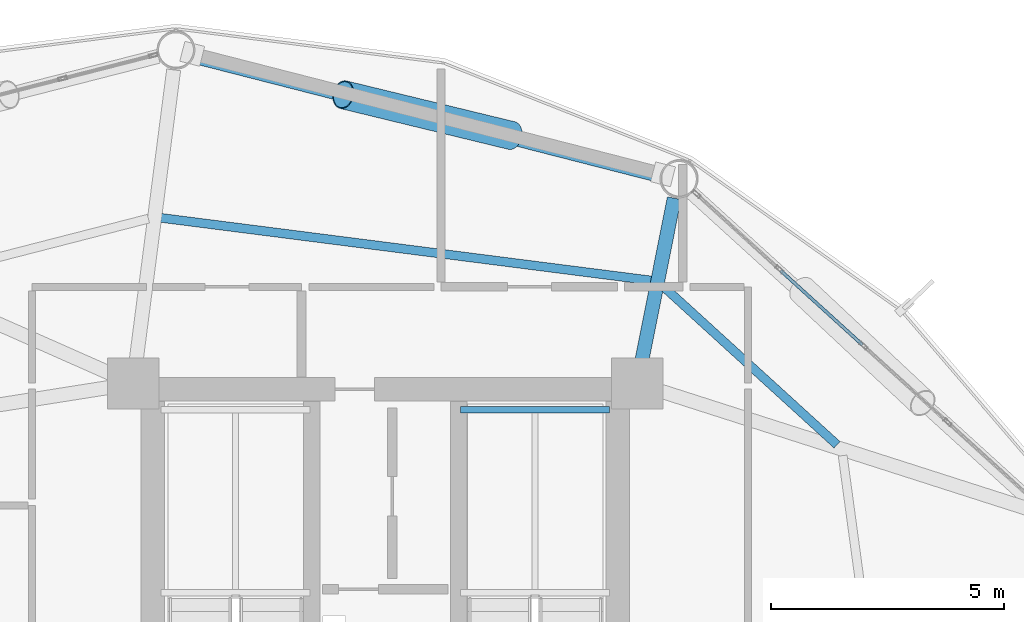
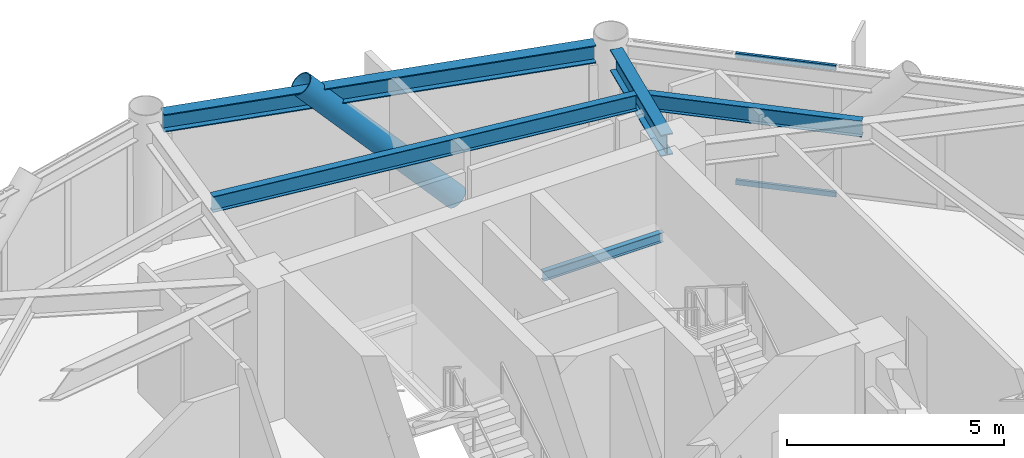
# One storey, part 17 of 25: 5 beams, 3 members, 1 element without a shape of its own.
"""IFC4 building model written with IfcOpenShell, lengths in metres."""

import ifcopenshell
import ifcopenshell.guid

model = None  # the IFC model being written
_history = None  # IfcOwnerHistory: only IFC2X3 demands one
_inside = {}  # id of a spatial element -> (the spatial element, [elements in it])
_under = {}  # id of a project, library or spatial element -> (it, [spatial elements below it])
_declared = {}  # id of a project -> (the project, [libraries it declares])
_typed = {}  # id of a type object -> (the type object, [elements of that type])
_made_of = {}  # id of a material, layer set ... -> (it, [elements and type objects made of it])


def new_model(schema):
    """Start an empty IFC model of exactly this schema.

    Asked for "IFC4X3", IfcOpenShell would pick the latest addendum, in which some entities
    have other attributes; the version numbers below select the first issue.
    IFC2X3 requires an IfcOwnerHistory on every rooted entity: one is made here for all.
    """
    global model, _history
    if schema == "IFC4X3":
        model = ifcopenshell.file(schema_version=(4, 3, 0, 0))
    else:
        model = ifcopenshell.file(schema=schema)
    _inside.clear()
    _under.clear()
    _declared.clear()
    _typed.clear()
    _made_of.clear()
    _history = None
    if model.schema == "IFC2X3":
        org = make("IfcOrganization", Name="unknown")
        user = make(
            "IfcPersonAndOrganization",
            ThePerson=make("IfcPerson", FamilyName="unknown"),
            TheOrganization=org,
        )
        app = make(
            "IfcApplication",
            ApplicationDeveloper=org,
            Version="unknown",
            ApplicationFullName="unknown",
            ApplicationIdentifier="unknown",
        )
        _history = make(
            "IfcOwnerHistory",
            OwningUser=user,
            OwningApplication=app,
            ChangeAction="ADDED",
            CreationDate=0,
        )
    return model


def make(cls, **values):
    """One entity of the class cls with the attributes given. An attribute that is None is left unset."""
    return model.create_entity(
        cls, **{name: value for name, value in values.items() if value is not None}
    )


def rooted(cls, **values):
    """An entity with a GlobalId (a new one), such as an element, a storey or a relation."""
    return make(cls, GlobalId=ifcopenshell.guid.new(), OwnerHistory=_history, **values)


def si_unit(unit_type, name, prefix=None):
    """IfcSIUnit, for example si_unit("LENGTHUNIT", "METRE", prefix="MILLI")."""
    return make("IfcSIUnit", UnitType=unit_type, Prefix=prefix, Name=name)


def assignment(units):
    """IfcUnitAssignment: the units of a project."""
    return None if units is None else make("IfcUnitAssignment", Units=units)


def point(xyz):
    """IfcCartesianPoint."""
    return None if xyz is None else make("IfcCartesianPoint", Coordinates=xyz)


def direction(xyz):
    """IfcDirection."""
    return None if xyz is None else make("IfcDirection", DirectionRatios=xyz)


def frame(location, z_axis=None, x_axis=None):
    """IfcAxis2Placement3D, a coordinate frame: its origin and axes. An axis left out is left unset."""
    return make(
        "IfcAxis2Placement3D",
        Location=point(location),
        Axis=direction(z_axis),
        RefDirection=direction(x_axis),
    )


def frame_2d(location, x_axis=None):
    """IfcAxis2Placement2D, a coordinate frame in the plane: its origin and x axis."""
    return make(
        "IfcAxis2Placement2D", Location=point(location), RefDirection=direction(x_axis)
    )


def origin():
    """The frame at (0, 0, 0) with its axes left unset."""
    return frame((0.0, 0.0, 0.0))


def origin_2d():
    """The frame at (0, 0) in the plane with its x axis left unset."""
    return frame_2d((0.0, 0.0))


def place(relative_to, where):
    """IfcLocalPlacement: puts the frame where relative to a parent placement (None: the world)."""
    return make(
        "IfcLocalPlacement", PlacementRelTo=relative_to, RelativePlacement=where
    )


def context(
    kind, dimensions, precision=None, world=None, true_north=None, identifier=None
):
    """IfcGeometricRepresentationContext, for example the 3D "Model" context."""
    return make(
        "IfcGeometricRepresentationContext",
        ContextIdentifier=identifier,
        ContextType=kind,
        CoordinateSpaceDimension=dimensions,
        Precision=precision,
        WorldCoordinateSystem=world,
        TrueNorth=true_north,
    )


def subcontext(parent, identifier, kind, view, scale=None):
    """IfcGeometricRepresentationSubContext, for example "Body" below "Model"."""
    return make(
        "IfcGeometricRepresentationSubContext",
        ContextIdentifier=identifier,
        ContextType=kind,
        ParentContext=parent,
        TargetScale=scale,
        TargetView=view,
    )


def project(units=None, contexts=None):
    """IfcProject with its units and contexts."""
    return rooted(
        "IfcProject",
        Name="project",
        RepresentationContexts=contexts,
        UnitsInContext=assignment(units),
    )


def spatial(cls, under=None, at=None, **own):
    """A site, building, storey or space (cls), placed at a placement, below another one or the project."""
    s = rooted(cls, ObjectPlacement=at, **own)
    if under is not None:
        _under.setdefault(under.id(), (under, []))[1].append(s)
    return s


def profile(cls, at=None, kind="AREA", **sizes):
    """A parametric profile (cls). Its sizes go by their IFC names, for example OverallWidth=200.0."""
    return make(cls, ProfileType=kind, Position=at, **sizes)


def hollow_rectangle(**sizes):
    """IfcRectangleHollowProfileDef."""
    return profile("IfcRectangleHollowProfileDef", **sizes)


def hollow_circle(**sizes):
    """IfcCircleHollowProfileDef."""
    return profile("IfcCircleHollowProfileDef", **sizes)


def i_section(**sizes):
    """IfcIShapeProfileDef."""
    return profile("IfcIShapeProfileDef", **sizes)


def extrude(swept, where, along, depth):
    """IfcExtrudedAreaSolid: the profile swept, set in the frame where, extruded along a direction by depth."""
    return make(
        "IfcExtrudedAreaSolid",
        SweptArea=swept,
        Position=where,
        ExtrudedDirection=direction(along),
        Depth=depth,
    )


def shape(context_of_items, identifier, shape_type, items):
    """IfcShapeRepresentation: the items that make up one representation, for example the "Body"."""
    return make(
        "IfcShapeRepresentation",
        ContextOfItems=context_of_items,
        RepresentationIdentifier=identifier,
        RepresentationType=shape_type,
        Items=items,
    )


def material(Name=None, Category=None):
    """IfcMaterial."""
    return make("IfcMaterial", Name=Name, Category=Category)


def layer(
    of_material, thickness, ventilated=None, Name=None, Category=None, Priority=None
):
    """IfcMaterialLayer: one layer of a wall or slab, of a material (None: an air gap)."""
    return make(
        "IfcMaterialLayer",
        Material=of_material,
        LayerThickness=thickness,
        IsVentilated=ventilated,
        Name=Name,
        Category=Category,
        Priority=Priority,
    )


def layer_set(layers, Name=None):
    """IfcMaterialLayerSet."""
    return make("IfcMaterialLayerSet", MaterialLayers=layers, LayerSetName=Name)


def material_profile(
    of_material, cross_section, Name=None, Category=None, Priority=None
):
    """IfcMaterialProfile: a cross section and its material."""
    return make(
        "IfcMaterialProfile",
        Name=Name,
        Material=of_material,
        Profile=cross_section,
        Priority=Priority,
        Category=Category,
    )


def profile_set(profiles, Name=None, composite=None):
    """IfcMaterialProfileSet."""
    return make(
        "IfcMaterialProfileSet",
        Name=Name,
        MaterialProfiles=profiles,
        CompositeProfile=composite,
    )


def made_of(thing, what):
    """Note that an element or type object is made of a material, layer set ...; save() writes the relation."""
    if what is not None:
        _made_of.setdefault(what.id(), (what, []))[1].append(thing)
    return thing


def type_object(cls, material=None, **own):
    """A type object (cls), such as IfcWallType, which elements share."""
    return made_of(rooted(cls, **own), material)


def element(
    cls,
    number,
    at=None,
    inside=None,
    cuts=None,
    type_object=None,
    material=None,
    context=None,
    identifier="Body",
    shape_type=None,
    held_by="IfcProductDefinitionShape",
    body=None,
    shapes=None,
    **own,
):
    """One element of the class cls, such as IfcWall. Its Tag is "e" and its number.

    at: its placement. inside: the storey or other place that contains it. cuts: it is an
    opening in that element (IfcRelVoidsElement). A single representation is given by context,
    identifier, shape_type and body (its items); several are given by shapes. held_by: the class
    of the entity that holds the representations. save() writes the other relations.
    """
    e = rooted(cls, Tag="e%d" % number, ObjectPlacement=at, **own)
    if body is not None:
        shapes = [shape(context, identifier, shape_type, body)]
    if shapes is not None:
        e.Representation = make(held_by, Representations=shapes)
    if inside is not None:
        _inside.setdefault(inside.id(), (inside, []))[1].append(e)
    if cuts is not None:
        rooted(
            "IfcRelVoidsElement", RelatingBuildingElement=cuts, RelatedOpeningElement=e
        )
    if type_object is not None:
        _typed.setdefault(type_object.id(), (type_object, []))[1].append(e)
    return made_of(e, material)


def aggregate(whole, parts):
    """IfcRelAggregates: a whole, such as a stair, and the parts it consists of."""
    return rooted("IfcRelAggregates", RelatingObject=whole, RelatedObjects=parts)


def save(model, path):
    """Write the relations noted so far, then the file.

    IfcRelAggregates (storeys below a building ...), IfcRelContainedInSpatialStructure (elements
    in a storey), IfcRelDefinesByType, IfcRelAssociatesMaterial and IfcRelDeclares: one each for
    every whole, place, type object, material and project.
    """
    for whole, parts in _under.values():
        aggregate(whole, parts)
    for where, things in _inside.values():
        rooted(
            "IfcRelContainedInSpatialStructure",
            RelatedElements=things,
            RelatingStructure=where,
        )
    for kind, things in _typed.values():
        rooted("IfcRelDefinesByType", RelatedObjects=things, RelatingType=kind)
    for what, things in _made_of.values():
        rooted("IfcRelAssociatesMaterial", RelatedObjects=things, RelatingMaterial=what)
    for by, libraries in _declared.values():
        rooted("IfcRelDeclares", RelatingContext=by, RelatedDefinitions=libraries)
    model.write(path)


model = new_model("IFC4")

# Units and contexts
model_context = context("Model", 3, precision=1e-05, world=origin(), true_north=direction((0.0, 1.0)))
body_context = subcontext(model_context, "Body", "Model", "MODEL_VIEW")
ifc_project = project(units=[si_unit("LENGTHUNIT", "METRE"), si_unit("AREAUNIT", "SQUARE_METRE"), si_unit("VOLUMEUNIT", "CUBIC_METRE"), si_unit("PLANEANGLEUNIT", "RADIAN"), si_unit("MASSUNIT", "GRAM", prefix="KILO")], contexts=[model_context])

# Site, building, storey
site_placement = place(None, origin())
site = spatial("IfcSite", under=ifc_project, at=site_placement, CompositionType="ELEMENT")
building_placement = place(site_placement, origin())
building = spatial("IfcBuilding", under=site, at=building_placement, Name="Varnakorn Sky Granary", CompositionType="ELEMENT")
storey_placement = place(building_placement, frame((0.0, 0.0, 91.5)))
storey = spatial("IfcBuildingStorey", under=building, at=storey_placement, Name="L22", CompositionType="ELEMENT", Elevation=91.5)

# Beams
ifc_material_1 = material(Name="Steel S355JR", Category="steel")
ifc_material_profile_1 = material_profile(ifc_material_1, i_section(OverallWidth=0.135009765625, OverallDepth=0.27001953125, WebThickness=0.006591796875, FlangeThickness=0.01025390625, at=origin_2d()), Name="IPE 270")
ifc_profile_set_1 = profile_set([ifc_material_profile_1], Name="Steel S355JR")
beam_type_1 = type_object("IfcBeamType", Name="BM-LND-270", PredefinedType="BEAM", material=ifc_profile_set_1)
beam_1_placement = place(storey_placement, frame((4.6201171875, 12.06005859375, 1.614990234375), z_axis=(1.0, 0.0, 0.0), x_axis=(0.0, 1.0, 0.0)))
element("IfcBeam", 1, at=beam_1_placement, inside=storey, type_object=beam_type_1, Name="Stair ST-2 Landing Trimmer Beam B L22-1", PredefinedType="BEAM", context=body_context, shape_type="SweptSolid", body=[
    extrude(i_section(OverallWidth=0.135009765625, OverallDepth=0.27001953125, WebThickness=0.006591796875, FlangeThickness=0.01025390625, at=origin_2d()), origin(), (0.0, 0.0, 1.0), 3.199951171875),
])
ifc_material_profile_2 = material_profile(ifc_material_1, i_section(OverallWidth=0.300048828125, OverallDepth=0.60009765625, WebThickness=0.015380859375, FlangeThickness=0.030029296875, at=origin_2d()), Name="HE 600 B")
ifc_profile_set_2 = profile_set([ifc_material_profile_2], Name="Steel S355JR")
beam_type_2 = type_object("IfcBeamType", Name="BM-RAD-Z2", PredefinedType="BEAM", material=ifc_profile_set_2)
beam_2_placement = place(storey_placement, frame((8.502197265625, 13.031982421875, 3.340087890625), z_axis=(0.195407786127, 0.98072207945, 0.0), x_axis=(-0.98072207945, 0.195407786127, 0.0)))
element("IfcBeam", 2, at=beam_2_placement, inside=storey, type_object=beam_type_2, Name="Radial Floor Girder RG03 L22", PredefinedType="BEAM", context=body_context, shape_type="SweptSolid", body=[
    extrude(i_section(OverallWidth=0.300048828125, OverallDepth=0.60009765625, WebThickness=0.015380859375, FlangeThickness=0.030029296875, at=origin_2d()), origin(), (0.0, 0.0, 1.0), 3.645751953125),
])
ifc_material_profile_3 = material_profile(ifc_material_1, i_section(OverallWidth=0.18994140625, OverallDepth=0.449951171875, WebThickness=0.009521484375, FlangeThickness=0.0146484375, at=origin_2d()), Name="IPE 450")
ifc_profile_set_3 = profile_set([ifc_material_profile_3], Name="Steel S355JR")
beam_type_3 = type_object("IfcBeamType", Name="BM-SEC-Z2", PredefinedType="BEAM", material=ifc_profile_set_3)
beam_3_placement = place(storey_placement, frame((12.71533203125, 11.304931640625, 3.4150390625), z_axis=(-0.739134635886, 0.67355771099, 0.0), x_axis=(-0.67355771099, -0.739134635886, 0.0)))
element("IfcBeam", 3, at=beam_3_placement, inside=storey, type_object=beam_type_3, Name="Secondary Floor Chord Beam MSB02 L22", PredefinedType="BEAM", context=body_context, shape_type="SweptSolid", body=[
    extrude(i_section(OverallWidth=0.18994140625, OverallDepth=0.449951171875, WebThickness=0.009521484375, FlangeThickness=0.0146484375, at=origin_2d()), origin(), (0.0, 0.0, 1.0), 5.078125),
])
beam_4_placement = place(storey_placement, frame((8.719482421875, 14.83740234375, 3.4150390625), z_axis=(-0.991937307758, 0.126729544612, 0.0), x_axis=(-0.126729544612, -0.991937307758, 0.0)))
element("IfcBeam", 4, at=beam_4_placement, inside=storey, type_object=beam_type_3, Name="Secondary Floor Chord Beam MSB03 L22", PredefinedType="BEAM", context=body_context, shape_type="SweptSolid", body=[
    extrude(i_section(OverallWidth=0.18994140625, OverallDepth=0.449951171875, WebThickness=0.009521484375, FlangeThickness=0.0146484375, at=origin_2d()), origin(), (0.0, 0.0, 1.0), 10.62451171875),
])
ifc_material_profile_4 = material_profile(ifc_material_1, i_section(OverallWidth=0.300048828125, OverallDepth=0.5, WebThickness=0.014404296875, FlangeThickness=0.028076171875, at=origin_2d()), Name="HE 500 B")
ifc_profile_set_4 = profile_set([ifc_material_profile_4], Name="Steel S355JR")
beam_type_4 = type_object("IfcBeamType", Name="BM-SPD-Z2", PredefinedType="SPANDREL", material=ifc_profile_set_4)
beam_5_placement = place(storey_placement, frame((8.91162109375, 17.08837890625, 3.389892578125), z_axis=(-0.968728550674, 0.248122943537, 0.0), x_axis=(-0.248122943537, -0.968728550674, 0.0)))
element("IfcBeam", 5, at=beam_5_placement, inside=storey, type_object=beam_type_4, Name="Perimeter Spandrel Ring Beam RB03 L22", PredefinedType="SPANDREL", context=body_context, shape_type="SweptSolid", body=[
    extrude(i_section(OverallWidth=0.300048828125, OverallDepth=0.5, WebThickness=0.014404296875, FlangeThickness=0.028076171875, at=origin_2d()), origin(), (0.0, 0.0, 1.0), 10.35595703125),
])

# Curtain wall, members
ifc_material_2 = material(Name="Anodised Bronze Aluminium Alloy 6063-T6", Category="aluminium")
ifc_layer = layer(ifc_material_2, 0.18994140625, Name="Anodised Bronze Aluminium Alloy 6063-T6")
ifc_layer_set = layer_set([ifc_layer], Name="Anodised Bronze Aluminium Alloy 6063-T6")
curtain_wall_type = type_object("IfcCurtainWallType", Name="CW-FRM-1", PredefinedType="USERDEFINED", material=ifc_layer_set)
curtain_wall_placement = place(storey_placement, origin())
curtain_wall = element("IfcCurtainWall", 6, at=curtain_wall_placement, inside=storey, type_object=curtain_wall_type, Name="Unitised Curtain Wall CW3 CW-L22-B02", ObjectType="CURTAIN WALL", PredefinedType="USERDEFINED")
ifc_material_profile_5 = material_profile(ifc_material_2, hollow_rectangle(XDim=0.070068359375, YDim=0.139892578125, WallThickness=0.00341796875, at=origin_2d()), Name="ALU TRAN 70x140")
ifc_profile_set_5 = profile_set([ifc_material_profile_5], Name="Anodised Bronze Aluminium Alloy 6063-T6")
member_type_1 = type_object("IfcMemberType", Name="CW-FRM-1-TRAN", PredefinedType="USERDEFINED", material=ifc_profile_set_5)
member_1_placement = place(storey_placement, frame((11.50341796875, 15.052001953125, 0.034912109375), z_axis=(0.740191392469, -0.672396239218, 0.0), x_axis=(0.672396239218, 0.740191392469, 0.0)))
member_1 = element("IfcMember", 7, at=member_1_placement, type_object=member_type_1, Name="CW3 transom 2.1", ObjectType="TRANSOM", PredefinedType="USERDEFINED", context=body_context, shape_type="SweptSolid", body=[
    extrude(hollow_rectangle(XDim=0.070068359375, YDim=0.139892578125, WallThickness=0.00341796875, at=origin_2d()), origin(), (0.0, 0.0, 1.0), 2.373046875),
])
member_2_placement = place(storey_placement, frame((11.50341796875, 15.052001953125, 3.60498046875), z_axis=(0.740191392469, -0.672396239218, 0.0), x_axis=(0.672396239218, 0.740191392469, 0.0)))
member_2 = element("IfcMember", 8, at=member_2_placement, type_object=member_type_1, Name="CW3 transom 2.2", ObjectType="TRANSOM", PredefinedType="USERDEFINED", context=body_context, shape_type="SweptSolid", body=[
    extrude(hollow_rectangle(XDim=0.070068359375, YDim=0.139892578125, WallThickness=0.00341796875, at=origin_2d()), origin(), (0.0, 0.0, 1.0), 2.373046875),
])
aggregate(curtain_wall, [member_1, member_2])

# Member
ifc_material_3 = material(Name="Steel S460M", Category="steel")
ifc_material_profile_6 = material_profile(ifc_material_3, hollow_circle(Radius=0.304931640625, WallThickness=0.022216796875, at=origin_2d()), Name="CHS 610x22")
ifc_profile_set_6 = profile_set([ifc_material_profile_6], Name="Steel S460M")
member_type_2 = type_object("IfcMemberType", Name="MB-DIAG-T1", PredefinedType="BRACE", material=ifc_profile_set_6)
member_3_placement = place(storey_placement, frame((5.716064453125, 17.955322265625, -0.1298828125), z_axis=(-0.669344297662, 0.162459577913, 0.724972479982), x_axis=(-0.23586644361, -0.971785480844, 0.0)))
element("IfcMember", 9, at=member_3_placement, inside=storey, type_object=member_type_2, Name="Perimeter CHS Diagrid Brace DG03 L22", PredefinedType="BRACE", context=body_context, shape_type="SweptSolid", body=[
    extrude(hollow_circle(Radius=0.304931640625, WallThickness=0.022216796875, at=origin_2d()), origin(), (0.0, 0.0, 1.0), 5.406982421875),
])

save(model, "model.ifc")
